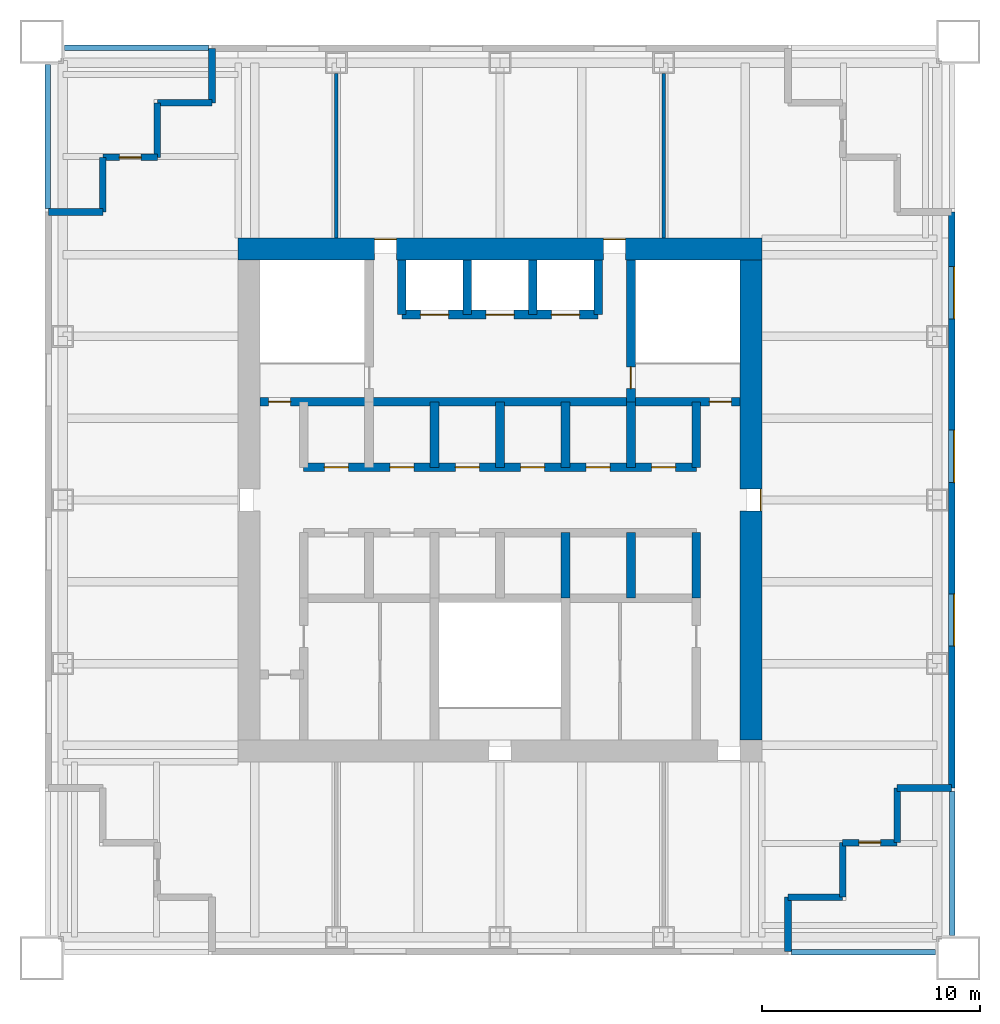
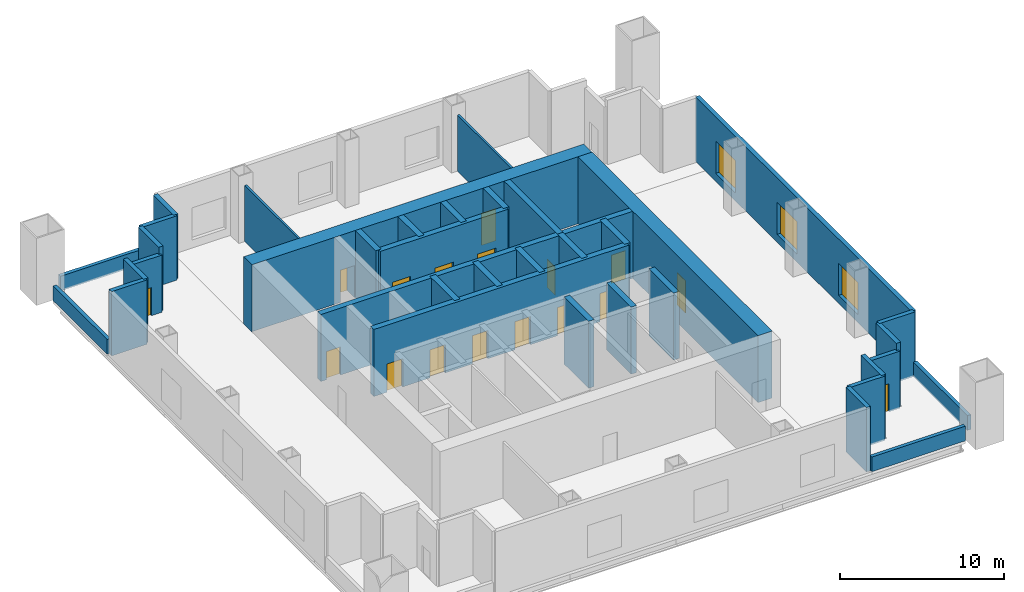
# One storey, part 3 of 5: 37 walls, 17 doors, 3 windows, 20 openings.
"""IFC4 building model written with IfcOpenShell, lengths in metres."""

from ifc_helpers import new_model, si_unit, direction, frame, frame_2d, origin, place, context, subcontext, project, spatial, rectangle, extrude, material, layer, layer_set, type_object, element, fill, save


model = new_model("IFC4")

# Units and contexts
model_context = context("Model", 3, precision=1e-05, world=origin(), true_north=direction((0.0, 1.0)))
body_context = subcontext(model_context, "Body", "Model", "MODEL_VIEW")
ifc_project = project(units=[si_unit("LENGTHUNIT", "METRE"), si_unit("AREAUNIT", "SQUARE_METRE"), si_unit("VOLUMEUNIT", "CUBIC_METRE"), si_unit("PLANEANGLEUNIT", "RADIAN"), si_unit("MASSUNIT", "GRAM", prefix="KILO")], contexts=[model_context])

# Site, building, storey
site_placement = place(None, origin())
site = spatial("IfcSite", under=ifc_project, at=site_placement, CompositionType="ELEMENT")
building_placement = place(site_placement, origin())
building = spatial("IfcBuilding", under=site, at=building_placement, Name="Tarangal Relay Tower", CompositionType="ELEMENT")
storey_placement = place(building_placement, frame((0.0, 0.0, 341.89990234375)))
storey = spatial("IfcBuildingStorey", under=building, at=storey_placement, Name="L76", CompositionType="ELEMENT", Elevation=341.89990234375)

# Wall, openings, doors
ifc_material_1 = material(Name="Concrete fc' 60 MPa", Category="concrete")
ifc_layer_1 = layer(ifc_material_1, 0.39990234375)
ifc_layer_set_1 = layer_set([ifc_layer_1], Name="Core inner wall 400")
wall_type_1 = type_object("IfcWallType", Name="Core inner wall 400", PredefinedType="SHEAR", material=ifc_layer_set_1)
wall_1_placement = place(storey_placement, frame((-11.0, 4.5, 0.0), z_axis=(0.0, 0.0, 1.0), x_axis=(1.0, 0.0, 0.0)))
wall_1 = element("IfcWall", 1, at=wall_1_placement, inside=storey, type_object=wall_type_1, Name="Core wall Y45 L76", PredefinedType="SHEAR", context=body_context, shape_type="SweptSolid", body=[
    extrude(rectangle(XDim=22.0, YDim=0.39990234375, at=frame_2d((11.0, 0.0))), origin(), (0.0, 0.0, 1.0), 5.0),
])
opening_1_placement = place(wall_1_placement, frame((0.39990234375, 0.0, 0.0)))
opening_1 = element("IfcOpeningElement", 2, at=opening_1_placement, cuts=wall_1, Name="Opening FD1", PredefinedType="OPENING", context=body_context, shape_type="SweptSolid", body=[
    extrude(rectangle(XDim=1.0, YDim=2.10009765625, at=frame_2d((0.5, 1.050048828125))), frame((0.0, 0.2099609375, 0.0), z_axis=(0.0, -1.0, 0.0), x_axis=(1.0, 0.0, 0.0)), (0.0, 0.0, 1.0), 0.419921875),
])
opening_2_placement = place(wall_1_placement, frame((20.60009765625, 0.0, 0.0)))
opening_2 = element("IfcOpeningElement", 3, at=opening_2_placement, cuts=wall_1, Name="Opening FD1", PredefinedType="OPENING", context=body_context, shape_type="SweptSolid", body=[
    extrude(rectangle(XDim=1.0, YDim=2.10009765625, at=frame_2d((0.5, 1.050048828125))), frame((0.0, 0.2099609375, 0.0), z_axis=(0.0, -1.0, 0.0), x_axis=(1.0, 0.0, 0.0)), (0.0, 0.0, 1.0), 0.419921875),
])
ifc_material_2 = material(Name="Steel door with hardwood frame", Category="steel")
door_type_1 = type_object("IfcDoorType", Name="Fire door 1000 x 2100", OperationType="SINGLE_SWING_LEFT", PredefinedType="DOOR", material=ifc_material_2)
door_1_placement = place(opening_1_placement, origin())
door_1 = element("IfcDoor", 4, at=door_1_placement, inside=storey, type_object=door_type_1, Name="Stair ST-A door from corridor L76", OperationType="SINGLE_SWING_LEFT", OverallHeight=2.10009765625, OverallWidth=1.0, PredefinedType="DOOR", context=body_context, shape_type="SweptSolid", body=[
    extrude(rectangle(XDim=1.0, YDim=2.10009765625, at=frame_2d((0.5, 1.050048828125))), frame((0.0, 0.02490234375, 0.0), z_axis=(0.0, -1.0, 0.0), x_axis=(1.0, 0.0, 0.0)), (0.0, 0.0, 1.0), 0.050048828125),
])
fill(opening_1, door_1)
door_2_placement = place(opening_2_placement, origin())
door_2 = element("IfcDoor", 5, at=door_2_placement, inside=storey, type_object=door_type_1, Name="Stair ST-B door from corridor L76", OperationType="SINGLE_SWING_LEFT", OverallHeight=2.10009765625, OverallWidth=1.0, PredefinedType="DOOR", context=body_context, shape_type="SweptSolid", body=[
    extrude(rectangle(XDim=1.0, YDim=2.10009765625, at=frame_2d((0.5, 1.050048828125))), frame((0.0, 0.02490234375, 0.0), z_axis=(0.0, -1.0, 0.0), x_axis=(1.0, 0.0, 0.0)), (0.0, 0.0, 1.0), 0.050048828125),
])
fill(opening_2, door_2)

wall_2_placement = place(storey_placement, frame((-9.0, 1.5, 0.0), z_axis=(0.0, 0.0, 1.0), x_axis=(1.0, 0.0, 0.0)))
wall_2 = element("IfcWall", 6, at=wall_2_placement, inside=storey, type_object=wall_type_1, Name="Core wall Y15 L76", PredefinedType="SHEAR", context=body_context, shape_type="SweptSolid", body=[
    extrude(rectangle(XDim=18.0, YDim=0.39990234375, at=frame_2d((9.0, 0.0))), origin(), (0.0, 0.0, 1.0), 5.0),
])
opening_3_placement = place(wall_2_placement, frame((0.949951171875, 0.0, 0.0)))
opening_3 = element("IfcOpeningElement", 7, at=opening_3_placement, cuts=wall_2, Name="Opening D4", PredefinedType="OPENING", context=body_context, shape_type="SweptSolid", body=[
    extrude(rectangle(XDim=1.10009765625, YDim=2.10009765625, at=frame_2d((0.550048828125, 1.050048828125))), frame((0.0, 0.2099609375, 0.0), z_axis=(0.0, -1.0, 0.0), x_axis=(1.0, 0.0, 0.0)), (0.0, 0.0, 1.0), 0.419921875),
])
opening_4_placement = place(wall_2_placement, frame((3.949951171875, 0.0, 0.0)))
opening_4 = element("IfcOpeningElement", 8, at=opening_4_placement, cuts=wall_2, Name="Opening D4", PredefinedType="OPENING", context=body_context, shape_type="SweptSolid", body=[
    extrude(rectangle(XDim=1.10009765625, YDim=2.10009765625, at=frame_2d((0.550048828125, 1.050048828125))), frame((0.0, 0.2099609375, 0.0), z_axis=(0.0, -1.0, 0.0), x_axis=(1.0, 0.0, 0.0)), (0.0, 0.0, 1.0), 0.419921875),
])
opening_5_placement = place(wall_2_placement, frame((6.949951171875, 0.0, 0.0)))
opening_5 = element("IfcOpeningElement", 9, at=opening_5_placement, cuts=wall_2, Name="Opening D4", PredefinedType="OPENING", context=body_context, shape_type="SweptSolid", body=[
    extrude(rectangle(XDim=1.10009765625, YDim=2.10009765625, at=frame_2d((0.550048828125, 1.050048828125))), frame((0.0, 0.2099609375, 0.0), z_axis=(0.0, -1.0, 0.0), x_axis=(1.0, 0.0, 0.0)), (0.0, 0.0, 1.0), 0.419921875),
])
opening_6_placement = place(wall_2_placement, frame((9.949951171875, 0.0, 0.0)))
opening_6 = element("IfcOpeningElement", 10, at=opening_6_placement, cuts=wall_2, Name="Opening D4", PredefinedType="OPENING", context=body_context, shape_type="SweptSolid", body=[
    extrude(rectangle(XDim=1.10009765625, YDim=2.10009765625, at=frame_2d((0.550048828125, 1.050048828125))), frame((0.0, 0.2099609375, 0.0), z_axis=(0.0, -1.0, 0.0), x_axis=(1.0, 0.0, 0.0)), (0.0, 0.0, 1.0), 0.419921875),
])
opening_7_placement = place(wall_2_placement, frame((12.949951171875, 0.0, 0.0)))
opening_7 = element("IfcOpeningElement", 11, at=opening_7_placement, cuts=wall_2, Name="Opening D4", PredefinedType="OPENING", context=body_context, shape_type="SweptSolid", body=[
    extrude(rectangle(XDim=1.10009765625, YDim=2.10009765625, at=frame_2d((0.550048828125, 1.050048828125))), frame((0.0, 0.2099609375, 0.0), z_axis=(0.0, -1.0, 0.0), x_axis=(1.0, 0.0, 0.0)), (0.0, 0.0, 1.0), 0.419921875),
])
opening_8_placement = place(wall_2_placement, frame((15.949951171875, 0.0, 0.0)))
opening_8 = element("IfcOpeningElement", 12, at=opening_8_placement, cuts=wall_2, Name="Opening D4", PredefinedType="OPENING", context=body_context, shape_type="SweptSolid", body=[
    extrude(rectangle(XDim=1.10009765625, YDim=2.10009765625, at=frame_2d((0.550048828125, 1.050048828125))), frame((0.0, 0.2099609375, 0.0), z_axis=(0.0, -1.0, 0.0), x_axis=(1.0, 0.0, 0.0)), (0.0, 0.0, 1.0), 0.419921875),
])
door_type_2 = type_object("IfcDoorType", Name="Core room door 1100 x 2100", OperationType="SINGLE_SWING_RIGHT", PredefinedType="DOOR", material=ifc_material_2)
door_3_placement = place(opening_3_placement, origin())
door_3 = element("IfcDoor", 13, at=door_3_placement, inside=storey, type_object=door_type_2, Name="Door D4 to back-of-house plant room L76-D1", OperationType="SINGLE_SWING_RIGHT", OverallHeight=2.10009765625, OverallWidth=1.10009765625, PredefinedType="DOOR", context=body_context, shape_type="SweptSolid", body=[
    extrude(rectangle(XDim=1.10009765625, YDim=2.10009765625, at=frame_2d((0.550048828125, 1.050048828125))), frame((0.0, 0.02490234375, 0.0), z_axis=(0.0, -1.0, 0.0), x_axis=(1.0, 0.0, 0.0)), (0.0, 0.0, 1.0), 0.050048828125),
])
fill(opening_3, door_3)
door_4_placement = place(opening_4_placement, origin())
door_4 = element("IfcDoor", 14, at=door_4_placement, inside=storey, type_object=door_type_2, Name="Door D4 to back-of-house plant room L76-D2", OperationType="SINGLE_SWING_RIGHT", OverallHeight=2.10009765625, OverallWidth=1.10009765625, PredefinedType="DOOR", context=body_context, shape_type="SweptSolid", body=[
    extrude(rectangle(XDim=1.10009765625, YDim=2.10009765625, at=frame_2d((0.550048828125, 1.050048828125))), frame((0.0, 0.02490234375, 0.0), z_axis=(0.0, -1.0, 0.0), x_axis=(1.0, 0.0, 0.0)), (0.0, 0.0, 1.0), 0.050048828125),
])
fill(opening_4, door_4)
door_5_placement = place(opening_5_placement, origin())
door_5 = element("IfcDoor", 15, at=door_5_placement, inside=storey, type_object=door_type_2, Name="Door D4 to back-of-house plant room L76-D3", OperationType="SINGLE_SWING_RIGHT", OverallHeight=2.10009765625, OverallWidth=1.10009765625, PredefinedType="DOOR", context=body_context, shape_type="SweptSolid", body=[
    extrude(rectangle(XDim=1.10009765625, YDim=2.10009765625, at=frame_2d((0.550048828125, 1.050048828125))), frame((0.0, 0.02490234375, 0.0), z_axis=(0.0, -1.0, 0.0), x_axis=(1.0, 0.0, 0.0)), (0.0, 0.0, 1.0), 0.050048828125),
])
fill(opening_5, door_5)
door_6_placement = place(opening_6_placement, origin())
door_6 = element("IfcDoor", 16, at=door_6_placement, inside=storey, type_object=door_type_2, Name="Door D4 to back-of-house plant room L76-T1", OperationType="SINGLE_SWING_RIGHT", OverallHeight=2.10009765625, OverallWidth=1.10009765625, PredefinedType="DOOR", context=body_context, shape_type="SweptSolid", body=[
    extrude(rectangle(XDim=1.10009765625, YDim=2.10009765625, at=frame_2d((0.550048828125, 1.050048828125))), frame((0.0, 0.02490234375, 0.0), z_axis=(0.0, -1.0, 0.0), x_axis=(1.0, 0.0, 0.0)), (0.0, 0.0, 1.0), 0.050048828125),
])
fill(opening_6, door_6)
door_7_placement = place(opening_7_placement, origin())
door_7 = element("IfcDoor", 17, at=door_7_placement, inside=storey, type_object=door_type_2, Name="Door D4 to back-of-house plant room L76-T2", OperationType="SINGLE_SWING_RIGHT", OverallHeight=2.10009765625, OverallWidth=1.10009765625, PredefinedType="DOOR", context=body_context, shape_type="SweptSolid", body=[
    extrude(rectangle(XDim=1.10009765625, YDim=2.10009765625, at=frame_2d((0.550048828125, 1.050048828125))), frame((0.0, 0.02490234375, 0.0), z_axis=(0.0, -1.0, 0.0), x_axis=(1.0, 0.0, 0.0)), (0.0, 0.0, 1.0), 0.050048828125),
])
fill(opening_7, door_7)
door_8_placement = place(opening_8_placement, origin())
door_8 = element("IfcDoor", 18, at=door_8_placement, inside=storey, type_object=door_type_2, Name="Door D4 to back-of-house plant room L76-T3", OperationType="SINGLE_SWING_RIGHT", OverallHeight=2.10009765625, OverallWidth=1.10009765625, PredefinedType="DOOR", context=body_context, shape_type="SweptSolid", body=[
    extrude(rectangle(XDim=1.10009765625, YDim=2.10009765625, at=frame_2d((0.550048828125, 1.050048828125))), frame((0.0, 0.02490234375, 0.0), z_axis=(0.0, -1.0, 0.0), x_axis=(1.0, 0.0, 0.0)), (0.0, 0.0, 1.0), 0.050048828125),
])
fill(opening_8, door_8)

wall_3_placement = place(storey_placement, frame((-4.5, 8.5, 0.0), z_axis=(0.0, 0.0, 1.0), x_axis=(1.0, 0.0, 0.0)))
wall_3 = element("IfcWall", 19, at=wall_3_placement, inside=storey, type_object=wall_type_1, Name="Core wall Y85 L76", PredefinedType="SHEAR", context=body_context, shape_type="SweptSolid", body=[
    extrude(rectangle(XDim=9.0, YDim=0.39990234375, at=frame_2d((4.5, 0.0))), origin(), (0.0, 0.0, 1.0), 5.0),
])
opening_9_placement = place(wall_3_placement, frame((0.85009765625, 0.0, 0.0)))
opening_9 = element("IfcOpeningElement", 20, at=opening_9_placement, cuts=wall_3, Name="Opening LD2", PredefinedType="OPENING", context=body_context, shape_type="SweptSolid", body=[
    extrude(rectangle(XDim=1.300048828125, YDim=2.39990234375, at=frame_2d((0.64990234375, 1.199951171875))), frame((0.0, 0.2099609375, 0.0), z_axis=(0.0, -1.0, 0.0), x_axis=(1.0, 0.0, 0.0)), (0.0, 0.0, 1.0), 0.419921875),
])
opening_10_placement = place(wall_3_placement, frame((6.85009765625, 0.0, 0.0)))
opening_10 = element("IfcOpeningElement", 21, at=opening_10_placement, cuts=wall_3, Name="Opening LD2", PredefinedType="OPENING", context=body_context, shape_type="SweptSolid", body=[
    extrude(rectangle(XDim=1.300048828125, YDim=2.39990234375, at=frame_2d((0.64990234375, 1.199951171875))), frame((0.0, 0.2099609375, 0.0), z_axis=(0.0, -1.0, 0.0), x_axis=(1.0, 0.0, 0.0)), (0.0, 0.0, 1.0), 0.419921875),
])
opening_11_placement = place(wall_3_placement, frame((3.85009765625, 0.0, 0.0)))
opening_11 = element("IfcOpeningElement", 22, at=opening_11_placement, cuts=wall_3, Name="Opening LD2", PredefinedType="OPENING", context=body_context, shape_type="SweptSolid", body=[
    extrude(rectangle(XDim=1.300048828125, YDim=2.39990234375, at=frame_2d((0.64990234375, 1.199951171875))), frame((0.0, 0.2099609375, 0.0), z_axis=(0.0, -1.0, 0.0), x_axis=(1.0, 0.0, 0.0)), (0.0, 0.0, 1.0), 0.419921875),
])
door_type_3 = type_object("IfcDoorType", Name="Lift landing door 1300 x 2400", OperationType="SLIDING_TO_LEFT", PredefinedType="DOOR", material=ifc_material_2)
door_9_placement = place(opening_9_placement, origin())
door_9 = element("IfcDoor", 23, at=door_9_placement, inside=storey, type_object=door_type_3, Name="Lift FF1 landing door L76", OperationType="SLIDING_TO_LEFT", OverallHeight=2.39990234375, OverallWidth=1.300048828125, PredefinedType="DOOR", context=body_context, shape_type="SweptSolid", body=[
    extrude(rectangle(XDim=1.300048828125, YDim=2.39990234375, at=frame_2d((0.64990234375, 1.199951171875))), frame((0.0, 0.02490234375, 0.0), z_axis=(0.0, -1.0, 0.0), x_axis=(1.0, 0.0, 0.0)), (0.0, 0.0, 1.0), 0.050048828125),
])
fill(opening_9, door_9)
door_10_placement = place(opening_10_placement, origin())
door_10 = element("IfcDoor", 24, at=door_10_placement, inside=storey, type_object=door_type_3, Name="Lift FF2 landing door L76", OperationType="SLIDING_TO_LEFT", OverallHeight=2.39990234375, OverallWidth=1.300048828125, PredefinedType="DOOR", context=body_context, shape_type="SweptSolid", body=[
    extrude(rectangle(XDim=1.300048828125, YDim=2.39990234375, at=frame_2d((0.64990234375, 1.199951171875))), frame((0.0, 0.02490234375, 0.0), z_axis=(0.0, -1.0, 0.0), x_axis=(1.0, 0.0, 0.0)), (0.0, 0.0, 1.0), 0.050048828125),
])
fill(opening_10, door_10)
door_11_placement = place(opening_11_placement, origin())
door_11 = element("IfcDoor", 25, at=door_11_placement, inside=storey, type_object=door_type_3, Name="Lift SV1 landing door L76", OperationType="SLIDING_TO_LEFT", OverallHeight=2.39990234375, OverallWidth=1.300048828125, PredefinedType="DOOR", context=body_context, shape_type="SweptSolid", body=[
    extrude(rectangle(XDim=1.300048828125, YDim=2.39990234375, at=frame_2d((0.64990234375, 1.199951171875))), frame((0.0, 0.02490234375, 0.0), z_axis=(0.0, -1.0, 0.0), x_axis=(1.0, 0.0, 0.0)), (0.0, 0.0, 1.0), 0.050048828125),
])
fill(opening_11, door_11)

# Walls
for number, where, z_axis, x_axis, name in (
    (26, (9.0, 1.5, 0.0), (0.0, 0.0, 1.0), (0.0, 1.0, 0.0), "Core wall X9N L76"),
    (27, (9.0, -4.5, 0.0), (0.0, 0.0, 1.0), (0.0, 1.0, 0.0), "Core wall X9S L76"),
    (28, (-3.0, 1.5, 0.0), (0.0, 0.0, 1.0), (0.0, 1.0, 0.0), "Core wall XM3N L76"),
    (29, (0.0, 1.5, 0.0), (0.0, 0.0, 1.0), (0.0, 1.0, 0.0), "Core wall X0N L76"),
    (30, (3.0, 1.5, 0.0), (0.0, 0.0, 1.0), (0.0, 1.0, 0.0), "Core wall X3N L76"),
    (31, (6.0, 1.5, 0.0), (0.0, 0.0, 1.0), (0.0, 1.0, 0.0), "Core wall X6N L76"),
    (32, (3.0, -4.5, 0.0), (0.0, 0.0, 1.0), (0.0, 1.0, 0.0), "Core wall X3S L76"),
    (33, (6.0, -4.5, 0.0), (0.0, 0.0, 1.0), (0.0, 1.0, 0.0), "Core wall X6S L76"),
):
    element("IfcWall", number, at=place(storey_placement, frame(where, z_axis=z_axis, x_axis=x_axis)), inside=storey, type_object=wall_type_1, Name=name, PredefinedType="SHEAR", context=body_context, shape_type="SweptSolid", body=[
        extrude(rectangle(XDim=3.0, YDim=0.39990234375, at=frame_2d((1.5, 0.0))), origin(), (0.0, 0.0, 1.0), 5.0),
    ])

# Wall, opening, door
wall_4_placement = place(storey_placement, frame((6.0, 4.5, 0.0), z_axis=(0.0, 0.0, 1.0), x_axis=(0.0, 1.0, 0.0)))
wall_4 = element("IfcWall", 34, at=wall_4_placement, inside=storey, type_object=wall_type_1, Name="Core wall X6 L76", PredefinedType="SHEAR", context=body_context, shape_type="SweptSolid", body=[
    extrude(rectangle(XDim=6.5, YDim=0.39990234375, at=frame_2d((3.25, 0.0))), origin(), (0.0, 0.0, 1.0), 5.0),
])
opening_12_placement = place(wall_4_placement, frame((0.60009765625, 0.0, 0.0)))
opening_12 = element("IfcOpeningElement", 35, at=opening_12_placement, cuts=wall_4, Name="Opening FD1", PredefinedType="OPENING", context=body_context, shape_type="SweptSolid", body=[
    extrude(rectangle(XDim=1.0, YDim=2.10009765625, at=frame_2d((0.5, 1.050048828125))), frame((0.0, 0.2099609375, 0.0), z_axis=(0.0, -1.0, 0.0), x_axis=(1.0, 0.0, 0.0)), (0.0, 0.0, 1.0), 0.419921875),
])
door_12_placement = place(opening_12_placement, origin())
door_12 = element("IfcDoor", 36, at=door_12_placement, inside=storey, type_object=door_type_1, Name="Stair ST-B door from fire-fighting lobby L76", OperationType="SINGLE_SWING_LEFT", OverallHeight=2.10009765625, OverallWidth=1.0, PredefinedType="DOOR", context=body_context, shape_type="SweptSolid", body=[
    extrude(rectangle(XDim=1.0, YDim=2.10009765625, at=frame_2d((0.5, 1.050048828125))), frame((0.0, 0.02490234375, 0.0), z_axis=(0.0, -1.0, 0.0), x_axis=(1.0, 0.0, 0.0)), (0.0, 0.0, 1.0), 0.050048828125),
])
fill(opening_12, door_12)

# Walls
for number, where, z_axis, x_axis, name in (
    (37, (-4.5, 8.5, 0.0), (0.0, 0.0, 1.0), (0.0, 1.0, 0.0), "Core wall XM45 L76"),
    (38, (4.5, 8.5, 0.0), (0.0, 0.0, 1.0), (0.0, 1.0, 0.0), "Core wall X45 L76"),
    (39, (-1.5, 8.5, 0.0), (0.0, 0.0, 1.0), (0.0, 1.0, 0.0), "Core wall XM15 L76"),
    (40, (1.5, 8.5, 0.0), (0.0, 0.0, 1.0), (0.0, 1.0, 0.0), "Core wall X15 L76"),
):
    element("IfcWall", number, at=place(storey_placement, frame(where, z_axis=z_axis, x_axis=x_axis)), inside=storey, type_object=wall_type_1, Name=name, PredefinedType="SHEAR", context=body_context, shape_type="SweptSolid", body=[
        extrude(rectangle(XDim=2.5, YDim=0.39990234375, at=frame_2d((1.25, 0.0))), origin(), (0.0, 0.0, 1.0), 5.0),
    ])

# Wall, openings, doors
ifc_layer_2 = layer(ifc_material_1, 1.0)
ifc_layer_set_2 = layer_set([ifc_layer_2], Name="Core wall 1000")
wall_type_2 = type_object("IfcWallType", Name="Core wall 1000", PredefinedType="SHEAR", material=ifc_layer_set_2)
wall_5_placement = place(storey_placement, frame((-12.0, 11.5, 0.0), z_axis=(0.0, 0.0, 1.0), x_axis=(1.0, 0.0, 0.0)))
wall_5 = element("IfcWall", 41, at=wall_5_placement, inside=storey, type_object=wall_type_2, Name="Core wall N L76", PredefinedType="SHEAR", context=body_context, shape_type="SweptSolid", body=[
    extrude(rectangle(XDim=24.0, YDim=1.0, at=frame_2d((12.0, 0.0))), origin(), (0.0, 0.0, 1.0), 5.0),
])
opening_13_placement = place(wall_5_placement, frame((6.25, 0.0, 0.0)))
opening_13 = element("IfcOpeningElement", 42, at=opening_13_placement, cuts=wall_5, Name="Opening FD3", PredefinedType="OPENING", context=body_context, shape_type="SweptSolid", body=[
    extrude(rectangle(XDim=1.0, YDim=2.39990234375, at=frame_2d((0.5, 1.199951171875))), frame((0.0, 0.510009765625, 0.0), z_axis=(0.0, -1.0, 0.0), x_axis=(1.0, 0.0, 0.0)), (0.0, 0.0, 1.0), 1.02001953125),
])
opening_14_placement = place(wall_5_placement, frame((16.75, 0.0, 0.0)))
opening_14 = element("IfcOpeningElement", 43, at=opening_14_placement, cuts=wall_5, Name="Opening FD3", PredefinedType="OPENING", context=body_context, shape_type="SweptSolid", body=[
    extrude(rectangle(XDim=1.0, YDim=2.39990234375, at=frame_2d((0.5, 1.199951171875))), frame((0.0, 0.510009765625, 0.0), z_axis=(0.0, -1.0, 0.0), x_axis=(1.0, 0.0, 0.0)), (0.0, 0.0, 1.0), 1.02001953125),
])
door_type_4 = type_object("IfcDoorType", Name="Fire door 1000 x 2400 core entry", OperationType="SINGLE_SWING_RIGHT", PredefinedType="DOOR", material=ifc_material_2)
door_13_placement = place(opening_13_placement, origin())
door_13 = element("IfcDoor", 44, at=door_13_placement, inside=storey, type_object=door_type_4, Name="Core entry door north west L76", OperationType="SINGLE_SWING_RIGHT", OverallHeight=2.39990234375, OverallWidth=1.0, PredefinedType="DOOR", context=body_context, shape_type="SweptSolid", body=[
    extrude(rectangle(XDim=1.0, YDim=2.39990234375, at=frame_2d((0.5, 1.199951171875))), frame((0.0, 0.48486328125, 0.0), z_axis=(0.0, -1.0, 0.0), x_axis=(1.0, 0.0, 0.0)), (0.0, 0.0, 1.0), 0.050048828125),
])
fill(opening_13, door_13)
door_14_placement = place(opening_14_placement, origin())
door_14 = element("IfcDoor", 45, at=door_14_placement, inside=storey, type_object=door_type_4, Name="Core entry door north east L76", OperationType="SINGLE_SWING_RIGHT", OverallHeight=2.39990234375, OverallWidth=1.0, PredefinedType="DOOR", context=body_context, shape_type="SweptSolid", body=[
    extrude(rectangle(XDim=1.0, YDim=2.39990234375, at=frame_2d((0.5, 1.199951171875))), frame((0.0, 0.48486328125, 0.0), z_axis=(0.0, -1.0, 0.0), x_axis=(1.0, 0.0, 0.0)), (0.0, 0.0, 1.0), 0.050048828125),
])
fill(opening_14, door_14)

# Wall, opening, door
wall_6_placement = place(storey_placement, frame((11.5, 11.0, 0.0), z_axis=(0.0, 0.0, 1.0), x_axis=(0.0, -1.0, 0.0)))
wall_6 = element("IfcWall", 46, at=wall_6_placement, inside=storey, type_object=wall_type_2, Name="Core wall E L76", PredefinedType="SHEAR", context=body_context, shape_type="SweptSolid", body=[
    extrude(rectangle(XDim=22.0, YDim=1.0, at=frame_2d((11.0, 0.0))), origin(), (0.0, 0.0, 1.0), 5.0),
])
opening_15_placement = place(wall_6_placement, frame((10.5, 0.0, 0.0)))
opening_15 = element("IfcOpeningElement", 47, at=opening_15_placement, cuts=wall_6, Name="Opening FD3", PredefinedType="OPENING", context=body_context, shape_type="SweptSolid", body=[
    extrude(rectangle(XDim=1.0, YDim=2.39990234375, at=frame_2d((0.5, 1.199951171875))), frame((0.0, 0.510009765625, 0.0), z_axis=(0.0, -1.0, 0.0), x_axis=(1.0, 0.0, 0.0)), (0.0, 0.0, 1.0), 1.02001953125),
])
door_15_placement = place(opening_15_placement, origin())
door_15 = element("IfcDoor", 48, at=door_15_placement, inside=storey, type_object=door_type_4, Name="Core entry door east L76", OperationType="SINGLE_SWING_RIGHT", OverallHeight=2.39990234375, OverallWidth=1.0, PredefinedType="DOOR", context=body_context, shape_type="SweptSolid", body=[
    extrude(rectangle(XDim=1.0, YDim=2.39990234375, at=frame_2d((0.5, 1.199951171875))), frame((0.0, 0.48486328125, 0.0), z_axis=(0.0, -1.0, 0.0), x_axis=(1.0, 0.0, 0.0)), (0.0, 0.0, 1.0), 0.050048828125),
])
fill(opening_15, door_15)

# Wall, openings, windows
ifc_material_3 = material(Name="Insulated precast concrete fc' 40 MPa", Category="concrete")
ifc_layer_3 = layer(ifc_material_3, 0.300048828125)
ifc_layer_set_3 = layer_set([ifc_layer_3], Name="Insulated precast concrete fc' 40 MPa")
wall_type_3 = type_object("IfcWallType", Name="Facade wall precast 300", PredefinedType="SOLIDWALL", material=ifc_layer_set_3)
wall_7_placement = place(storey_placement, frame((20.699951171875, 13.199951171875, 0.0), z_axis=(0.0, 0.0, 1.0), x_axis=(0.0, -1.0, 0.0)))
wall_7 = element("IfcWall", 49, at=wall_7_placement, inside=storey, type_object=wall_type_3, Name="Facade wall E facade L76", PredefinedType="SOLIDWALL", context=body_context, shape_type="SweptSolid", body=[
    extrude(rectangle(XDim=26.39990234375, YDim=0.300048828125, at=frame_2d((13.199951171875, 0.0))), origin(), (0.0, 0.0, 1.0), 4.800048828125),
])
opening_16_placement = place(wall_7_placement, frame((2.5, 0.0, 0.60009765625)))
opening_16 = element("IfcOpeningElement", 50, at=opening_16_placement, cuts=wall_7, Name="Opening LV1", PredefinedType="OPENING", context=body_context, shape_type="SweptSolid", body=[
    extrude(rectangle(XDim=2.39990234375, YDim=2.39990234375, at=frame_2d((1.199951171875, 1.199951171875))), frame((0.0, 0.159912109375, 0.0), z_axis=(0.0, -1.0, 0.0), x_axis=(1.0, 0.0, 0.0)), (0.0, 0.0, 1.0), 0.320068359375),
])
opening_17_placement = place(wall_7_placement, frame((10.0, 0.0, 0.60009765625)))
opening_17 = element("IfcOpeningElement", 51, at=opening_17_placement, cuts=wall_7, Name="Opening LV1", PredefinedType="OPENING", context=body_context, shape_type="SweptSolid", body=[
    extrude(rectangle(XDim=2.39990234375, YDim=2.39990234375, at=frame_2d((1.199951171875, 1.199951171875))), frame((0.0, 0.159912109375, 0.0), z_axis=(0.0, -1.0, 0.0), x_axis=(1.0, 0.0, 0.0)), (0.0, 0.0, 1.0), 0.320068359375),
])
opening_18_placement = place(wall_7_placement, frame((17.5, 0.0, 0.60009765625)))
opening_18 = element("IfcOpeningElement", 52, at=opening_18_placement, cuts=wall_7, Name="Opening LV1", PredefinedType="OPENING", context=body_context, shape_type="SweptSolid", body=[
    extrude(rectangle(XDim=2.39990234375, YDim=2.39990234375, at=frame_2d((1.199951171875, 1.199951171875))), frame((0.0, 0.159912109375, 0.0), z_axis=(0.0, -1.0, 0.0), x_axis=(1.0, 0.0, 0.0)), (0.0, 0.0, 1.0), 0.320068359375),
])
ifc_material_4 = material(Name="Black aluminium weather louvre", Category="aluminium")
window_type = type_object("IfcWindowType", Name="Louvre 2400 x 2400", PartitioningType="SINGLE_PANEL", PredefinedType="WINDOW", material=ifc_material_4)
window_1_placement = place(opening_16_placement, origin())
window_1 = element("IfcWindow", 53, at=window_1_placement, inside=storey, type_object=window_type, Name="Louvre LV1 E facade L76", OverallHeight=2.39990234375, OverallWidth=2.39990234375, PartitioningType="SINGLE_PANEL", PredefinedType="WINDOW", context=body_context, shape_type="SweptSolid", body=[
    extrude(rectangle(XDim=2.39990234375, YDim=2.39990234375, at=frame_2d((1.199951171875, 1.199951171875))), frame((0.0, 0.150146484375, 0.0), z_axis=(0.0, -1.0, 0.0), x_axis=(1.0, 0.0, 0.0)), (0.0, 0.0, 1.0), 0.06005859375),
])
fill(opening_16, window_1)
window_2_placement = place(opening_17_placement, origin())
window_2 = element("IfcWindow", 54, at=window_2_placement, inside=storey, type_object=window_type, Name="Louvre LV1 E facade L76", OverallHeight=2.39990234375, OverallWidth=2.39990234375, PartitioningType="SINGLE_PANEL", PredefinedType="WINDOW", context=body_context, shape_type="SweptSolid", body=[
    extrude(rectangle(XDim=2.39990234375, YDim=2.39990234375, at=frame_2d((1.199951171875, 1.199951171875))), frame((0.0, 0.150146484375, 0.0), z_axis=(0.0, -1.0, 0.0), x_axis=(1.0, 0.0, 0.0)), (0.0, 0.0, 1.0), 0.06005859375),
])
fill(opening_17, window_2)
window_3_placement = place(opening_18_placement, origin())
window_3 = element("IfcWindow", 55, at=window_3_placement, inside=storey, type_object=window_type, Name="Louvre LV1 E facade L76", OverallHeight=2.39990234375, OverallWidth=2.39990234375, PartitioningType="SINGLE_PANEL", PredefinedType="WINDOW", context=body_context, shape_type="SweptSolid", body=[
    extrude(rectangle(XDim=2.39990234375, YDim=2.39990234375, at=frame_2d((1.199951171875, 1.199951171875))), frame((0.0, 0.150146484375, 0.0), z_axis=(0.0, -1.0, 0.0), x_axis=(1.0, 0.0, 0.0)), (0.0, 0.0, 1.0), 0.06005859375),
])
fill(opening_18, window_3)

# Walls
for number, where, z_axis, x_axis, name in (
    (56, (20.699951171875, -13.199951171875, 0.0), (0.0, 0.0, 1.0), (-1.0, 0.0, 0.0), "Facade wall E facade L76"),
    (57, (18.199951171875, -13.199951171875, 0.0), (0.0, 0.0, 1.0), (0.0, -1.0, 0.0), "Facade wall E facade L76"),
):
    element("IfcWall", number, at=place(storey_placement, frame(where, z_axis=z_axis, x_axis=x_axis)), inside=storey, type_object=wall_type_3, Name=name, PredefinedType="SOLIDWALL", context=body_context, shape_type="SweptSolid", body=[
        extrude(rectangle(XDim=2.5, YDim=0.300048828125, at=frame_2d((1.25, 0.0))), origin(), (0.0, 0.0, 1.0), 4.800048828125),
    ])

# Wall, opening, door
wall_8_placement = place(storey_placement, frame((18.199951171875, -15.699951171875, 0.0), z_axis=(0.0, 0.0, 1.0), x_axis=(-1.0, 0.0, 0.0)))
wall_8 = element("IfcWall", 58, at=wall_8_placement, inside=storey, type_object=wall_type_3, Name="Facade wall E facade L76", PredefinedType="SOLIDWALL", context=body_context, shape_type="SweptSolid", body=[
    extrude(rectangle(XDim=2.5, YDim=0.300048828125, at=frame_2d((1.25, 0.0))), origin(), (0.0, 0.0, 1.0), 4.2666015625),
])
opening_19_placement = place(wall_8_placement, frame((0.75, 0.0, 0.0)))
opening_19 = element("IfcOpeningElement", 59, at=opening_19_placement, cuts=wall_8, Name="Opening MD1", PredefinedType="OPENING", context=body_context, shape_type="SweptSolid", body=[
    extrude(rectangle(XDim=1.0, YDim=2.10009765625, at=frame_2d((0.5, 1.050048828125))), frame((0.0, 0.159912109375, 0.0), z_axis=(0.0, -1.0, 0.0), x_axis=(1.0, 0.0, 0.0)), (0.0, 0.0, 1.0), 0.320068359375),
])
door_type_5 = type_object("IfcDoorType", Name="Maintenance access door 1000 x 2100", OperationType="SINGLE_SWING_RIGHT", PredefinedType="DOOR", material=ifc_material_2)
door_16_placement = place(opening_19_placement, origin())
door_16 = element("IfcDoor", 60, at=door_16_placement, inside=storey, type_object=door_type_5, Name="Maintenance access door MD1 SE L76", OperationType="SINGLE_SWING_RIGHT", OverallHeight=2.10009765625, OverallWidth=1.0, PredefinedType="DOOR", context=body_context, shape_type="SweptSolid", body=[
    extrude(rectangle(XDim=1.0, YDim=2.10009765625, at=frame_2d((0.5, 1.050048828125))), frame((0.0, 0.02490234375, 0.0), z_axis=(0.0, -1.0, 0.0), x_axis=(1.0, 0.0, 0.0)), (0.0, 0.0, 1.0), 0.050048828125),
])
fill(opening_19, door_16)

# Walls
for number, where, z_axis, x_axis, name in (
    (61, (15.699951171875, -15.699951171875, 0.0), (0.0, 0.0, 1.0), (0.0, -1.0, 0.0), "Facade wall E facade L76"),
    (62, (15.699951171875, -18.199951171875, 0.0), (0.0, 0.0, 1.0), (-1.0, 0.0, 0.0), "Facade wall E facade L76"),
    (63, (13.199951171875, -18.199951171875, 0.0), (0.0, 0.0, 1.0), (0.0, -1.0, 0.0), "Facade wall E facade L76"),
    (64, (-20.699951171875, 13.199951171875, 0.0), (0.0, 0.0, 1.0), (1.0, 0.0, 0.0), "Facade wall W facade L76"),
    (65, (-18.199951171875, 13.199951171875, 0.0), (0.0, 0.0, 1.0), (0.0, 1.0, 0.0), "Facade wall W facade L76"),
):
    element("IfcWall", number, at=place(storey_placement, frame(where, z_axis=z_axis, x_axis=x_axis)), inside=storey, type_object=wall_type_3, Name=name, PredefinedType="SOLIDWALL", context=body_context, shape_type="SweptSolid", body=[
        extrude(rectangle(XDim=2.5, YDim=0.300048828125, at=frame_2d((1.25, 0.0))), origin(), (0.0, 0.0, 1.0), 4.800048828125),
    ])

# Wall, opening, door
wall_9_placement = place(storey_placement, frame((-18.199951171875, 15.699951171875, 0.0), z_axis=(0.0, 0.0, 1.0), x_axis=(1.0, 0.0, 0.0)))
wall_9 = element("IfcWall", 66, at=wall_9_placement, inside=storey, type_object=wall_type_3, Name="Facade wall W facade L76", PredefinedType="SOLIDWALL", context=body_context, shape_type="SweptSolid", body=[
    extrude(rectangle(XDim=2.5, YDim=0.300048828125, at=frame_2d((1.25, 0.0))), origin(), (0.0, 0.0, 1.0), 4.2666015625),
])
opening_20_placement = place(wall_9_placement, frame((0.75, 0.0, 0.0)))
opening_20 = element("IfcOpeningElement", 67, at=opening_20_placement, cuts=wall_9, Name="Opening MD1", PredefinedType="OPENING", context=body_context, shape_type="SweptSolid", body=[
    extrude(rectangle(XDim=1.0, YDim=2.10009765625, at=frame_2d((0.5, 1.050048828125))), frame((0.0, 0.159912109375, 0.0), z_axis=(0.0, -1.0, 0.0), x_axis=(1.0, 0.0, 0.0)), (0.0, 0.0, 1.0), 0.320068359375),
])
door_17_placement = place(opening_20_placement, origin())
door_17 = element("IfcDoor", 68, at=door_17_placement, inside=storey, type_object=door_type_5, Name="Maintenance access door MD1 NW L76", OperationType="SINGLE_SWING_RIGHT", OverallHeight=2.10009765625, OverallWidth=1.0, PredefinedType="DOOR", context=body_context, shape_type="SweptSolid", body=[
    extrude(rectangle(XDim=1.0, YDim=2.10009765625, at=frame_2d((0.5, 1.050048828125))), frame((0.0, 0.02490234375, 0.0), z_axis=(0.0, -1.0, 0.0), x_axis=(1.0, 0.0, 0.0)), (0.0, 0.0, 1.0), 0.050048828125),
])
fill(opening_20, door_17)

# Walls
for number, where, z_axis, x_axis, name in (
    (69, (-15.699951171875, 15.699951171875, 0.0), (0.0, 0.0, 1.0), (0.0, 1.0, 0.0), "Facade wall W facade L76"),
    (70, (-15.699951171875, 18.199951171875, 0.0), (0.0, 0.0, 1.0), (1.0, 0.0, 0.0), "Facade wall W facade L76"),
    (71, (-13.199951171875, 18.199951171875, 0.0), (0.0, 0.0, 1.0), (0.0, 1.0, 0.0), "Facade wall W facade L76"),
):
    element("IfcWall", number, at=place(storey_placement, frame(where, z_axis=z_axis, x_axis=x_axis)), inside=storey, type_object=wall_type_3, Name=name, PredefinedType="SOLIDWALL", context=body_context, shape_type="SweptSolid", body=[
        extrude(rectangle(XDim=2.5, YDim=0.300048828125, at=frame_2d((1.25, 0.0))), origin(), (0.0, 0.0, 1.0), 4.800048828125),
    ])
ifc_material_5 = material(Name="Concrete parapet with metal coping", Category="concrete")
ifc_layer_4 = layer(ifc_material_5, 0.25)
ifc_layer_set_4 = layer_set([ifc_layer_4], Name="Parapet 250")
wall_type_4 = type_object("IfcWallType", Name="Parapet 250", PredefinedType="PARAPET", material=ifc_layer_set_4)
for number, where, z_axis, x_axis, name in (
    (72, (20.72509765625, -13.35009765625, 0.0), (0.0, 0.0, 1.0), (0.0, -1.0, 0.0), "Ledge parapet PP1 SE L76"),
    (73, (19.949951171875, -20.72509765625, 0.0), (0.0, 0.0, 1.0), (-1.0, 0.0, 0.0), "Ledge parapet PP1 SE L76"),
    (74, (-20.72509765625, 13.35009765625, 0.0), (0.0, 0.0, 1.0), (0.0, 1.0, 0.0), "Ledge parapet PP1 NW L76"),
    (75, (-19.949951171875, 20.72509765625, 0.0), (0.0, 0.0, 1.0), (1.0, 0.0, 0.0), "Ledge parapet PP1 NW L76"),
):
    element("IfcWall", number, at=place(storey_placement, frame(where, z_axis=z_axis, x_axis=x_axis)), inside=storey, type_object=wall_type_4, Name=name, PredefinedType="PARAPET", context=body_context, shape_type="SweptSolid", body=[
        extrude(rectangle(XDim=6.599853515625, YDim=0.25, at=frame_2d((3.2998046875, 0.0))), origin(), (0.0, 0.0, 1.0), 1.10009765625),
    ])
ifc_material_6 = material(Name="Gypsum board on steel studs", Category="steel")
ifc_layer_5 = layer(ifc_material_6, 0.14990234375)
ifc_layer_set_5 = layer_set([ifc_layer_5], Name="Partition 150")
wall_type_5 = type_object("IfcWallType", Name="Partition 150", PredefinedType="PARTITIONING", material=ifc_layer_set_5)
for number, where, z_axis, x_axis, name in (
    (76, (-7.5, 12.0, 0.0), (0.0, 0.0, 1.0), (0.0, 1.0, 0.0), "Partition PT1 L76"),
    (77, (7.5, 12.0, 0.0), (0.0, 0.0, 1.0), (0.0, 1.0, 0.0), "Partition PT1 L76"),
):
    element("IfcWall", number, at=place(storey_placement, frame(where, z_axis=z_axis, x_axis=x_axis)), inside=storey, type_object=wall_type_5, Name=name, PredefinedType="PARTITIONING", context=body_context, shape_type="SweptSolid", body=[
        extrude(rectangle(XDim=7.5400390625, YDim=0.14990234375, at=frame_2d((3.77001953125, 0.0))), origin(), (0.0, 0.0, 1.0), 4.193115234375),
    ])

save(model, "model.ifc")
